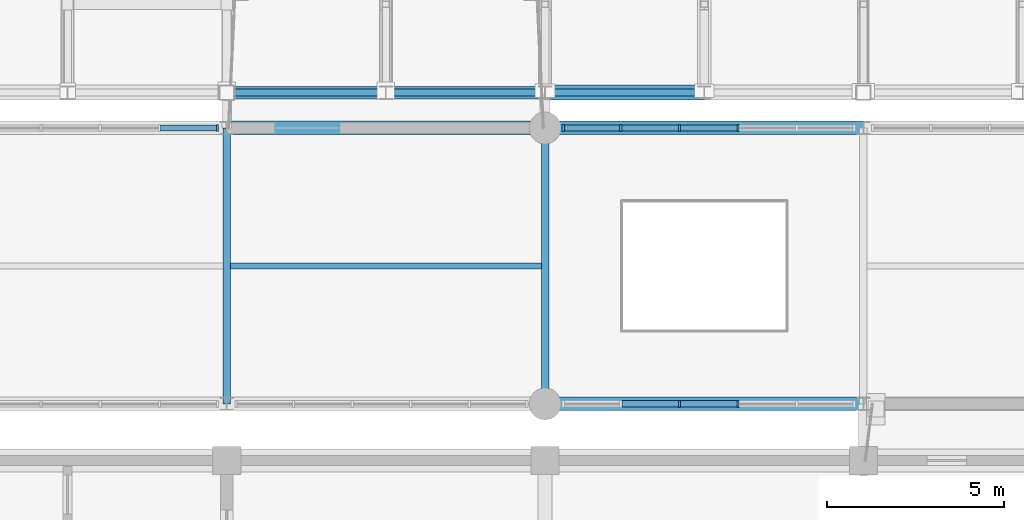
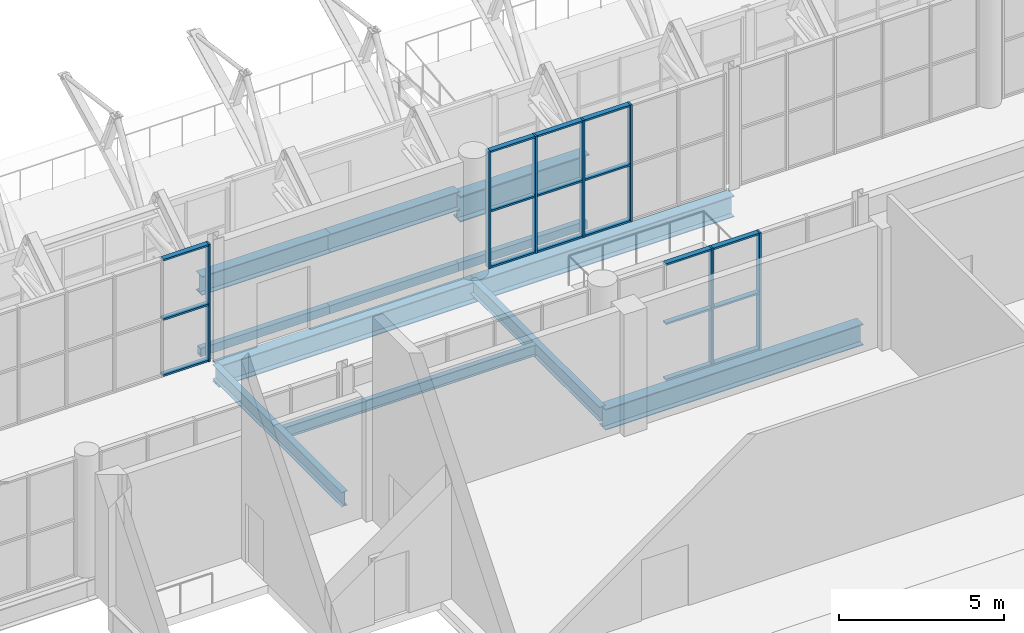
# One storey, part 37 of 134: 25 members, 12 beams, 3 elements without a shape of their own.
"""IFC4 building model written with IfcOpenShell, lengths in metres."""

from ifc_helpers import new_model, si_unit, direction, frame, origin, origin_2d, place, context, subcontext, project, spatial, rectangle, hollow_rectangle, i_section, extrude, material, layer, layer_set, material_profile, profile_set, type_object, element, aggregate, save


model = new_model("IFC4")

# Units and contexts
model_context = context("Model", 3, precision=1e-05, world=origin(), true_north=direction((0.0, 1.0)))
body_context = subcontext(model_context, "Body", "Model", "MODEL_VIEW")
ifc_project = project(units=[si_unit("LENGTHUNIT", "METRE"), si_unit("AREAUNIT", "SQUARE_METRE"), si_unit("VOLUMEUNIT", "CUBIC_METRE"), si_unit("PLANEANGLEUNIT", "RADIAN"), si_unit("MASSUNIT", "GRAM", prefix="KILO")], contexts=[model_context])

# Site, building, storey
site_placement = place(None, origin())
site = spatial("IfcSite", under=ifc_project, at=site_placement, CompositionType="ELEMENT")
building_placement = place(site_placement, origin())
building = spatial("IfcBuilding", under=site, at=building_placement, Name="Cazmaro Siding Exhibition Halls", CompositionType="ELEMENT")
storey_placement = place(building_placement, frame((0.0, 0.0, 12.0)))
storey = spatial("IfcBuildingStorey", under=building, at=storey_placement, Name="L02", CompositionType="ELEMENT", Elevation=12.0)

# Beams
ifc_material_1 = material(Name="Steel ASTM A992 Grade 50", Category="steel")
ifc_material_profile_1 = material_profile(ifc_material_1, i_section(OverallWidth=0.2099609375, OverallDepth=0.535888671875, WebThickness=0.010986328125, FlangeThickness=0.01708984375, at=origin_2d()), Name="W21X68")
ifc_profile_set_1 = profile_set([ifc_material_profile_1], Name="Steel ASTM A992 Grade 50")
beam_type_1 = type_object("IfcBeamType", Name="B-02", PredefinedType="BEAM", material=ifc_profile_set_1)
for number, where, z_axis, x_axis, name in (
    (1, (81.0, 55.199951171875, -0.488037109375), (0.0, 1.0, 0.0), (-1.0, 0.0, 0.0), "Beam B-02 BM-1700"),
    (2, (90.0, 55.199951171875, -0.488037109375), (0.0, 1.0, 0.0), (-1.0, 0.0, 0.0), "Beam B-02 BM-1703"),
):
    element("IfcBeam", number, at=place(storey_placement, frame(where, z_axis=z_axis, x_axis=x_axis)), inside=storey, type_object=beam_type_1, Name=name, PredefinedType="BEAM", context=body_context, shape_type="SweptSolid", body=[
        extrude(i_section(OverallWidth=0.2099609375, OverallDepth=0.535888671875, WebThickness=0.010986328125, FlangeThickness=0.01708984375, at=origin_2d()), origin(), (0.0, 0.0, 1.0), 7.800048828125),
    ])

# Curtain wall, member
ifc_material_2 = material(Name="Anodized Bronze Aluminum and Solar-Control Low-E Glazing", Category="aluminium")
ifc_layer = layer(ifc_material_2, 0.199951171875)
ifc_layer_set = layer_set([ifc_layer], Name="Anodized Bronze Aluminum and Solar-Control Low-E Glazing")
curtain_wall_type = type_object("IfcCurtainWallType", Name="CWS-02", PredefinedType="USERDEFINED", material=ifc_layer_set)
curtain_wall_1_placement = place(storey_placement, origin())
curtain_wall_1 = element("IfcCurtainWall", 3, at=curtain_wall_1_placement, inside=storey, type_object=curtain_wall_type, Name="Glazed Curtain Wall CWS-02 CW-166", ObjectType="GLAZED CURTAIN WALL", PredefinedType="USERDEFINED")
ifc_material_3 = material(Name="Anodized Bronze Extruded Aluminum", Category="aluminium")
ifc_material_profile_2 = material_profile(ifc_material_3, rectangle(XDim=0.199951171875, YDim=0.06494140625, at=origin_2d()), Name="CWM-02")
ifc_profile_set_2 = profile_set([ifc_material_profile_2], Name="Anodized Bronze Extruded Aluminum")
member_type_1 = type_object("IfcMemberType", Name="CWM-02", PredefinedType="MULLION", material=ifc_profile_set_2)
member_1_placement = place(storey_placement, frame((80.737548828125, 63.0, 0.0), z_axis=(0.0, 0.0, 1.0), x_axis=(0.0, -1.0, 0.0)))
member_1 = element("IfcMember", 4, at=member_1_placement, type_object=member_type_1, Name="CWS-02 mullion 1", PredefinedType="MULLION", context=body_context, shape_type="SweptSolid", body=[
    extrude(rectangle(XDim=0.199951171875, YDim=0.06494140625, at=origin_2d()), origin(), (0.0, 0.0, 1.0), 4.324951171875),
])

# Curtain wall, members
curtain_wall_2_placement = place(storey_placement, origin())
curtain_wall_2 = element("IfcCurtainWall", 5, at=curtain_wall_2_placement, inside=storey, type_object=curtain_wall_type, Name="Glazed Curtain Wall CWS-02 CW-173", ObjectType="GLAZED CURTAIN WALL", PredefinedType="USERDEFINED")
member_2_placement = place(storey_placement, frame((93.7978515625, 55.199951171875, 0.0), z_axis=(0.0, 0.0, 1.0), x_axis=(0.0, 1.0, 0.0)))
member_2 = element("IfcMember", 6, at=member_2_placement, type_object=member_type_1, Name="CWS-02 mullion 3", PredefinedType="MULLION", context=body_context, shape_type="SweptSolid", body=[
    extrude(rectangle(XDim=0.199951171875, YDim=0.06494140625, at=origin_2d()), origin(), (0.0, 0.0, 1.0), 4.324951171875),
])
member_3_placement = place(storey_placement, frame((95.455078125, 55.199951171875, 0.0), z_axis=(0.0, 0.0, 1.0), x_axis=(0.0, 1.0, 0.0)))
member_3 = element("IfcMember", 7, at=member_3_placement, type_object=member_type_1, Name="CWS-02 mullion 4", PredefinedType="MULLION", context=body_context, shape_type="SweptSolid", body=[
    extrude(rectangle(XDim=0.199951171875, YDim=0.06494140625, at=origin_2d()), origin(), (0.0, 0.0, 1.0), 4.324951171875),
])

curtain_wall_3_placement = place(storey_placement, origin())
curtain_wall_3 = element("IfcCurtainWall", 8, at=curtain_wall_3_placement, inside=storey, type_object=curtain_wall_type, Name="Glazed Curtain Wall CWS-02 CW-175", ObjectType="GLAZED CURTAIN WALL", PredefinedType="USERDEFINED")
member_4_placement = place(storey_placement, frame((95.455078125, 63.0, 0.0), z_axis=(0.0, 0.0, 1.0), x_axis=(0.0, -1.0, 0.0)))
member_4 = element("IfcMember", 9, at=member_4_placement, type_object=member_type_1, Name="CWS-02 mullion 3", PredefinedType="MULLION", context=body_context, shape_type="SweptSolid", body=[
    extrude(rectangle(XDim=0.199951171875, YDim=0.06494140625, at=origin_2d()), origin(), (0.0, 0.0, 1.0), 4.324951171875),
])
member_5_placement = place(storey_placement, frame((93.7978515625, 63.0, 0.0), z_axis=(0.0, 0.0, 1.0), x_axis=(0.0, -1.0, 0.0)))
member_5 = element("IfcMember", 10, at=member_5_placement, type_object=member_type_1, Name="CWS-02 mullion 4", PredefinedType="MULLION", context=body_context, shape_type="SweptSolid", body=[
    extrude(rectangle(XDim=0.199951171875, YDim=0.06494140625, at=origin_2d()), origin(), (0.0, 0.0, 1.0), 4.324951171875),
])
member_6_placement = place(storey_placement, frame((92.140380859375, 63.0, 0.0), z_axis=(0.0, 0.0, 1.0), x_axis=(0.0, -1.0, 0.0)))
member_6 = element("IfcMember", 11, at=member_6_placement, type_object=member_type_1, Name="CWS-02 mullion 5", PredefinedType="MULLION", context=body_context, shape_type="SweptSolid", body=[
    extrude(rectangle(XDim=0.199951171875, YDim=0.06494140625, at=origin_2d()), origin(), (0.0, 0.0, 1.0), 4.324951171875),
])
member_7_placement = place(storey_placement, frame((90.515380859375, 63.0, 0.0), z_axis=(0.0, 0.0, 1.0), x_axis=(0.0, -1.0, 0.0)))
member_7 = element("IfcMember", 12, at=member_7_placement, type_object=member_type_1, Name="CWS-02 mullion 6", PredefinedType="MULLION", context=body_context, shape_type="SweptSolid", body=[
    extrude(rectangle(XDim=0.199951171875, YDim=0.06494140625, at=origin_2d()), origin(), (0.0, 0.0, 1.0), 4.324951171875),
])

# Member
ifc_material_4 = material(Name="Anodized Bronze Extruded Aluminum", Category="aluminium")
ifc_material_profile_3 = material_profile(ifc_material_4, rectangle(XDim=0.179931640625, YDim=0.06494140625, at=origin_2d()), Name="CWT-02")
ifc_profile_set_3 = profile_set([ifc_material_profile_3], Name="Anodized Bronze Extruded Aluminum")
member_type_2 = type_object("IfcMemberType", Name="CWT-02", PredefinedType="MULLION", material=ifc_profile_set_3)
member_8_placement = place(storey_placement, frame((80.705078125, 63.0, 0.032470703125), z_axis=(-1.0, 0.0, 0.0), x_axis=(0.0, -1.0, 0.0)))
member_8 = element("IfcMember", 13, at=member_8_placement, type_object=member_type_2, Name="CWS-02 transom 1.1", ObjectType="TRANSOM", PredefinedType="USERDEFINED", context=body_context, shape_type="SweptSolid", body=[
    extrude(rectangle(XDim=0.179931640625, YDim=0.06494140625, at=origin_2d()), origin(), (0.0, 0.0, 1.0), 1.574951171875),
])

member_9_placement = place(storey_placement, frame((80.705078125, 63.0, 2.10009765625), z_axis=(-1.0, 0.0, 0.0), x_axis=(0.0, -1.0, 0.0)))
member_9 = element("IfcMember", 14, at=member_9_placement, type_object=member_type_2, Name="CWS-02 transom 1.2", ObjectType="TRANSOM", PredefinedType="USERDEFINED", context=body_context, shape_type="SweptSolid", body=[
    extrude(rectangle(XDim=0.179931640625, YDim=0.06494140625, at=origin_2d()), origin(), (0.0, 0.0, 1.0), 1.574951171875),
])

member_10_placement = place(storey_placement, frame((80.705078125, 63.0, 4.29248046875), z_axis=(-1.0, 0.0, 0.0), x_axis=(0.0, -1.0, 0.0)))
member_10 = element("IfcMember", 15, at=member_10_placement, type_object=member_type_2, Name="CWS-02 transom 1.3", ObjectType="TRANSOM", PredefinedType="USERDEFINED", context=body_context, shape_type="SweptSolid", body=[
    extrude(rectangle(XDim=0.179931640625, YDim=0.06494140625, at=origin_2d()), origin(), (0.0, 0.0, 1.0), 1.574951171875),
])

aggregate(curtain_wall_1, [member_1, member_8, member_9, member_10])

member_11_placement = place(storey_placement, frame((92.1728515625, 55.199951171875, 0.032470703125), z_axis=(1.0, 0.0, 0.0), x_axis=(0.0, 1.0, 0.0)))
member_11 = element("IfcMember", 16, at=member_11_placement, type_object=member_type_2, Name="CWS-02 transom 2.1", ObjectType="TRANSOM", PredefinedType="USERDEFINED", context=body_context, shape_type="SweptSolid", body=[
    extrude(rectangle(XDim=0.179931640625, YDim=0.06494140625, at=origin_2d()), origin(), (0.0, 0.0, 1.0), 1.592529296875),
])

member_12_placement = place(storey_placement, frame((92.1728515625, 55.199951171875, 2.10009765625), z_axis=(1.0, 0.0, 0.0), x_axis=(0.0, 1.0, 0.0)))
member_12 = element("IfcMember", 17, at=member_12_placement, type_object=member_type_2, Name="CWS-02 transom 2.2", ObjectType="TRANSOM", PredefinedType="USERDEFINED", context=body_context, shape_type="SweptSolid", body=[
    extrude(rectangle(XDim=0.179931640625, YDim=0.06494140625, at=origin_2d()), origin(), (0.0, 0.0, 1.0), 1.592529296875),
])

member_13_placement = place(storey_placement, frame((92.1728515625, 55.199951171875, 4.29248046875), z_axis=(1.0, 0.0, 0.0), x_axis=(0.0, 1.0, 0.0)))
member_13 = element("IfcMember", 18, at=member_13_placement, type_object=member_type_2, Name="CWS-02 transom 2.3", ObjectType="TRANSOM", PredefinedType="USERDEFINED", context=body_context, shape_type="SweptSolid", body=[
    extrude(rectangle(XDim=0.179931640625, YDim=0.06494140625, at=origin_2d()), origin(), (0.0, 0.0, 1.0), 1.592529296875),
])

member_14_placement = place(storey_placement, frame((93.830322265625, 55.199951171875, 0.032470703125), z_axis=(1.0, 0.0, 0.0), x_axis=(0.0, 1.0, 0.0)))
member_14 = element("IfcMember", 19, at=member_14_placement, type_object=member_type_2, Name="CWS-02 transom 3.1", ObjectType="TRANSOM", PredefinedType="USERDEFINED", context=body_context, shape_type="SweptSolid", body=[
    extrude(rectangle(XDim=0.179931640625, YDim=0.06494140625, at=origin_2d()), origin(), (0.0, 0.0, 1.0), 1.59228515625),
])

member_15_placement = place(storey_placement, frame((93.830322265625, 55.199951171875, 2.10009765625), z_axis=(1.0, 0.0, 0.0), x_axis=(0.0, 1.0, 0.0)))
member_15 = element("IfcMember", 20, at=member_15_placement, type_object=member_type_2, Name="CWS-02 transom 3.2", ObjectType="TRANSOM", PredefinedType="USERDEFINED", context=body_context, shape_type="SweptSolid", body=[
    extrude(rectangle(XDim=0.179931640625, YDim=0.06494140625, at=origin_2d()), origin(), (0.0, 0.0, 1.0), 1.59228515625),
])

member_16_placement = place(storey_placement, frame((93.830322265625, 55.199951171875, 4.29248046875), z_axis=(1.0, 0.0, 0.0), x_axis=(0.0, 1.0, 0.0)))
member_16 = element("IfcMember", 21, at=member_16_placement, type_object=member_type_2, Name="CWS-02 transom 3.3", ObjectType="TRANSOM", PredefinedType="USERDEFINED", context=body_context, shape_type="SweptSolid", body=[
    extrude(rectangle(XDim=0.179931640625, YDim=0.06494140625, at=origin_2d()), origin(), (0.0, 0.0, 1.0), 1.59228515625),
])

aggregate(curtain_wall_2, [member_2, member_3, member_11, member_12, member_13, member_14, member_15, member_16])

member_17_placement = place(storey_placement, frame((95.422607421875, 63.0, 0.032470703125), z_axis=(-1.0, 0.0, 0.0), x_axis=(0.0, -1.0, 0.0)))
member_17 = element("IfcMember", 22, at=member_17_placement, type_object=member_type_2, Name="CWS-02 transom 3.1", ObjectType="TRANSOM", PredefinedType="USERDEFINED", context=body_context, shape_type="SweptSolid", body=[
    extrude(rectangle(XDim=0.179931640625, YDim=0.06494140625, at=origin_2d()), origin(), (0.0, 0.0, 1.0), 1.59228515625),
])

member_18_placement = place(storey_placement, frame((95.422607421875, 63.0, 2.10009765625), z_axis=(-1.0, 0.0, 0.0), x_axis=(0.0, -1.0, 0.0)))
member_18 = element("IfcMember", 23, at=member_18_placement, type_object=member_type_2, Name="CWS-02 transom 3.2", ObjectType="TRANSOM", PredefinedType="USERDEFINED", context=body_context, shape_type="SweptSolid", body=[
    extrude(rectangle(XDim=0.179931640625, YDim=0.06494140625, at=origin_2d()), origin(), (0.0, 0.0, 1.0), 1.59228515625),
])

member_19_placement = place(storey_placement, frame((95.422607421875, 63.0, 4.29248046875), z_axis=(-1.0, 0.0, 0.0), x_axis=(0.0, -1.0, 0.0)))
member_19 = element("IfcMember", 24, at=member_19_placement, type_object=member_type_2, Name="CWS-02 transom 3.3", ObjectType="TRANSOM", PredefinedType="USERDEFINED", context=body_context, shape_type="SweptSolid", body=[
    extrude(rectangle(XDim=0.179931640625, YDim=0.06494140625, at=origin_2d()), origin(), (0.0, 0.0, 1.0), 1.59228515625),
])

member_20_placement = place(storey_placement, frame((93.765380859375, 63.0, 0.032470703125), z_axis=(-1.0, 0.0, 0.0), x_axis=(0.0, -1.0, 0.0)))
member_20 = element("IfcMember", 25, at=member_20_placement, type_object=member_type_2, Name="CWS-02 transom 4.1", ObjectType="TRANSOM", PredefinedType="USERDEFINED", context=body_context, shape_type="SweptSolid", body=[
    extrude(rectangle(XDim=0.179931640625, YDim=0.06494140625, at=origin_2d()), origin(), (0.0, 0.0, 1.0), 1.592529296875),
])

member_21_placement = place(storey_placement, frame((93.765380859375, 63.0, 2.10009765625), z_axis=(-1.0, 0.0, 0.0), x_axis=(0.0, -1.0, 0.0)))
member_21 = element("IfcMember", 26, at=member_21_placement, type_object=member_type_2, Name="CWS-02 transom 4.2", ObjectType="TRANSOM", PredefinedType="USERDEFINED", context=body_context, shape_type="SweptSolid", body=[
    extrude(rectangle(XDim=0.179931640625, YDim=0.06494140625, at=origin_2d()), origin(), (0.0, 0.0, 1.0), 1.592529296875),
])

member_22_placement = place(storey_placement, frame((93.765380859375, 63.0, 4.29248046875), z_axis=(-1.0, 0.0, 0.0), x_axis=(0.0, -1.0, 0.0)))
member_22 = element("IfcMember", 27, at=member_22_placement, type_object=member_type_2, Name="CWS-02 transom 4.3", ObjectType="TRANSOM", PredefinedType="USERDEFINED", context=body_context, shape_type="SweptSolid", body=[
    extrude(rectangle(XDim=0.179931640625, YDim=0.06494140625, at=origin_2d()), origin(), (0.0, 0.0, 1.0), 1.592529296875),
])

member_23_placement = place(storey_placement, frame((92.10791015625, 63.0, 0.032470703125), z_axis=(-1.0, 0.0, 0.0), x_axis=(0.0, -1.0, 0.0)))
member_23 = element("IfcMember", 28, at=member_23_placement, type_object=member_type_2, Name="CWS-02 transom 5.1", ObjectType="TRANSOM", PredefinedType="USERDEFINED", context=body_context, shape_type="SweptSolid", body=[
    extrude(rectangle(XDim=0.179931640625, YDim=0.06494140625, at=origin_2d()), origin(), (0.0, 0.0, 1.0), 1.559814453125),
])

member_24_placement = place(storey_placement, frame((92.10791015625, 63.0, 2.10009765625), z_axis=(-1.0, 0.0, 0.0), x_axis=(0.0, -1.0, 0.0)))
member_24 = element("IfcMember", 29, at=member_24_placement, type_object=member_type_2, Name="CWS-02 transom 5.2", ObjectType="TRANSOM", PredefinedType="USERDEFINED", context=body_context, shape_type="SweptSolid", body=[
    extrude(rectangle(XDim=0.179931640625, YDim=0.06494140625, at=origin_2d()), origin(), (0.0, 0.0, 1.0), 1.559814453125),
])

member_25_placement = place(storey_placement, frame((92.10791015625, 63.0, 4.29248046875), z_axis=(-1.0, 0.0, 0.0), x_axis=(0.0, -1.0, 0.0)))
member_25 = element("IfcMember", 30, at=member_25_placement, type_object=member_type_2, Name="CWS-02 transom 5.3", ObjectType="TRANSOM", PredefinedType="USERDEFINED", context=body_context, shape_type="SweptSolid", body=[
    extrude(rectangle(XDim=0.179931640625, YDim=0.06494140625, at=origin_2d()), origin(), (0.0, 0.0, 1.0), 1.559814453125),
])

aggregate(curtain_wall_3, [member_4, member_5, member_6, member_7, member_17, member_18, member_19, member_20, member_21, member_22, member_23, member_24, member_25])

# Beams
ifc_material_5 = material(Name="Steel ASTM A992 Grade 50", Category="steel")
ifc_material_profile_4 = material_profile(ifc_material_5, i_section(OverallWidth=0.424072265625, OverallDepth=0.947021484375, WebThickness=0.02392578125, FlangeThickness=0.04296875, at=origin_2d()), Name="W36X302")
ifc_profile_set_4 = profile_set([ifc_material_profile_4], Name="Steel ASTM A992 Grade 50")
beam_type_2 = type_object("IfcBeamType", Name="G-01", PredefinedType="USERDEFINED", material=ifc_profile_set_4)
beam_1_placement = place(storey_placement, frame((90.0, 64.0, 1.826904296875), z_axis=(1.0, 0.0, 0.0), x_axis=(0.0, 1.0, 0.0)))
element("IfcBeam", 31, at=beam_1_placement, inside=storey, type_object=beam_type_2, Name="Beam G-01 BM-0123", ObjectType="GIRDER", PredefinedType="USERDEFINED", context=body_context, shape_type="SweptSolid", body=[
    extrude(i_section(OverallWidth=0.424072265625, OverallDepth=0.947021484375, WebThickness=0.02392578125, FlangeThickness=0.04296875, at=origin_2d()), origin(), (0.0, 0.0, 1.0), 4.5),
])
ifc_material_6 = material(Name="Steel ASTM A992 Grade 50", Category="steel")
ifc_material_profile_5 = material_profile(ifc_material_6, i_section(OverallWidth=0.381103515625, OverallDepth=0.779052734375, WebThickness=0.01806640625, FlangeThickness=0.030029296875, at=origin_2d()), Name="W30X191")
ifc_profile_set_5 = profile_set([ifc_material_profile_5], Name="Steel ASTM A992 Grade 50")
beam_type_3 = type_object("IfcBeamType", Name="G-04", PredefinedType="USERDEFINED", material=ifc_profile_set_5)
for number, where, z_axis, x_axis, name in (
    (32, (81.0, 63.0, -0.610107421875), (1.0, 0.0, 0.0), (0.0, 1.0, 0.0), "Beam G-04 BM-1614"),
    (33, (90.0, 55.199951171875, -0.610107421875), (1.0, 0.0, 0.0), (0.0, 1.0, 0.0), "Beam G-04 BM-1621"),
    (34, (90.0, 63.0, -0.610107421875), (1.0, 0.0, 0.0), (0.0, 1.0, 0.0), "Beam G-04 BM-1622"),
):
    element("IfcBeam", number, at=place(storey_placement, frame(where, z_axis=z_axis, x_axis=x_axis)), inside=storey, type_object=beam_type_3, Name=name, ObjectType="GIRDER", PredefinedType="USERDEFINED", context=body_context, shape_type="SweptSolid", body=[
        extrude(i_section(OverallWidth=0.381103515625, OverallDepth=0.779052734375, WebThickness=0.01806640625, FlangeThickness=0.030029296875, at=origin_2d()), origin(), (0.0, 0.0, 1.0), 9.0),
    ])
ifc_material_7 = material(Name="Steel ASTM A992 Grade 50", Category="steel")
ifc_material_profile_6 = material_profile(ifc_material_7, i_section(OverallWidth=0.35595703125, OverallDepth=0.696044921875, WebThickness=0.014892578125, FlangeThickness=0.02490234375, at=origin_2d()), Name="W27X146")
ifc_profile_set_6 = profile_set([ifc_material_profile_6], Name="Steel ASTM A992 Grade 50")
beam_type_4 = type_object("IfcBeamType", Name="G-05", PredefinedType="USERDEFINED", material=ifc_profile_set_6)
for number, where, z_axis, x_axis, name in (
    (35, (81.0, 64.0, 2.132080078125), (1.0, 0.0, 0.0), (0.0, 1.0, 0.0), "Beam G-05 BM-0111"),
    (36, (85.5, 64.0, 2.132080078125), (1.0, 0.0, 0.0), (0.0, 1.0, 0.0), "Beam G-05 BM-0117"),
):
    element("IfcBeam", number, at=place(storey_placement, frame(where, z_axis=z_axis, x_axis=x_axis)), inside=storey, type_object=beam_type_4, Name=name, ObjectType="GIRDER", PredefinedType="USERDEFINED", context=body_context, shape_type="SweptSolid", body=[
        extrude(i_section(OverallWidth=0.35595703125, OverallDepth=0.696044921875, WebThickness=0.014892578125, FlangeThickness=0.02490234375, at=origin_2d()), origin(), (0.0, 0.0, 1.0), 4.5),
    ])
ifc_material_8 = material(Name="Steel ASTM A992 Grade 50", Category="steel")
ifc_material_profile_7 = material_profile(ifc_material_8, i_section(OverallWidth=0.177978515625, OverallDepth=0.406005859375, WebThickness=0.008056640625, FlangeThickness=0.012939453125, at=origin_2d()), Name="W16X40")
ifc_profile_set_7 = profile_set([ifc_material_profile_7], Name="Steel ASTM A992 Grade 50")
beam_type_5 = type_object("IfcBeamType", Name="J-02", PredefinedType="JOIST", material=ifc_profile_set_7)
beam_2_placement = place(storey_placement, frame((81.10498046875, 59.10009765625, -0.423095703125), z_axis=(1.0, 0.0, 0.0), x_axis=(0.0, 1.0, 0.0)))
element("IfcBeam", 37, at=beam_2_placement, inside=storey, type_object=beam_type_5, Name="Beam J-02 BM-1615", PredefinedType="JOIST", context=body_context, shape_type="SweptSolid", body=[
    extrude(i_section(OverallWidth=0.177978515625, OverallDepth=0.406005859375, WebThickness=0.008056640625, FlangeThickness=0.012939453125, at=origin_2d()), origin(), (0.0, 0.0, 1.0), 8.7900390625),
])
ifc_material_9 = material(Name="Steel ASTM A500 Grade C", Category="steel")
ifc_material_profile_8 = material_profile(ifc_material_9, hollow_rectangle(XDim=0.202880859375, YDim=0.304931640625, WallThickness=0.011962890625, at=origin_2d()), Name="HSS12X8X1/2")
ifc_profile_set_8 = profile_set([ifc_material_profile_8], Name="Steel ASTM A500 Grade C")
beam_type_6 = type_object("IfcBeamType", Name="SP-01", PredefinedType="SPANDREL", material=ifc_profile_set_8)
for number, where, z_axis, x_axis, name in (
    (38, (81.0, 64.0, -0.373046875), (1.0, 0.0, 0.0), (0.0, 1.0, 0.0), "Beam SP-01 BM-0110"),
    (39, (85.5, 64.0, -0.373046875), (1.0, 0.0, 0.0), (0.0, 1.0, 0.0), "Beam SP-01 BM-0116"),
    (40, (90.0, 64.0, -0.373046875), (1.0, 0.0, 0.0), (0.0, 1.0, 0.0), "Beam SP-01 BM-0122"),
):
    element("IfcBeam", number, at=place(storey_placement, frame(where, z_axis=z_axis, x_axis=x_axis)), inside=storey, type_object=beam_type_6, Name=name, PredefinedType="SPANDREL", context=body_context, shape_type="SweptSolid", body=[
        extrude(hollow_rectangle(XDim=0.202880859375, YDim=0.304931640625, WallThickness=0.011962890625, at=origin_2d()), origin(), (0.0, 0.0, 1.0), 4.5),
    ])

save(model, "model.ifc")
